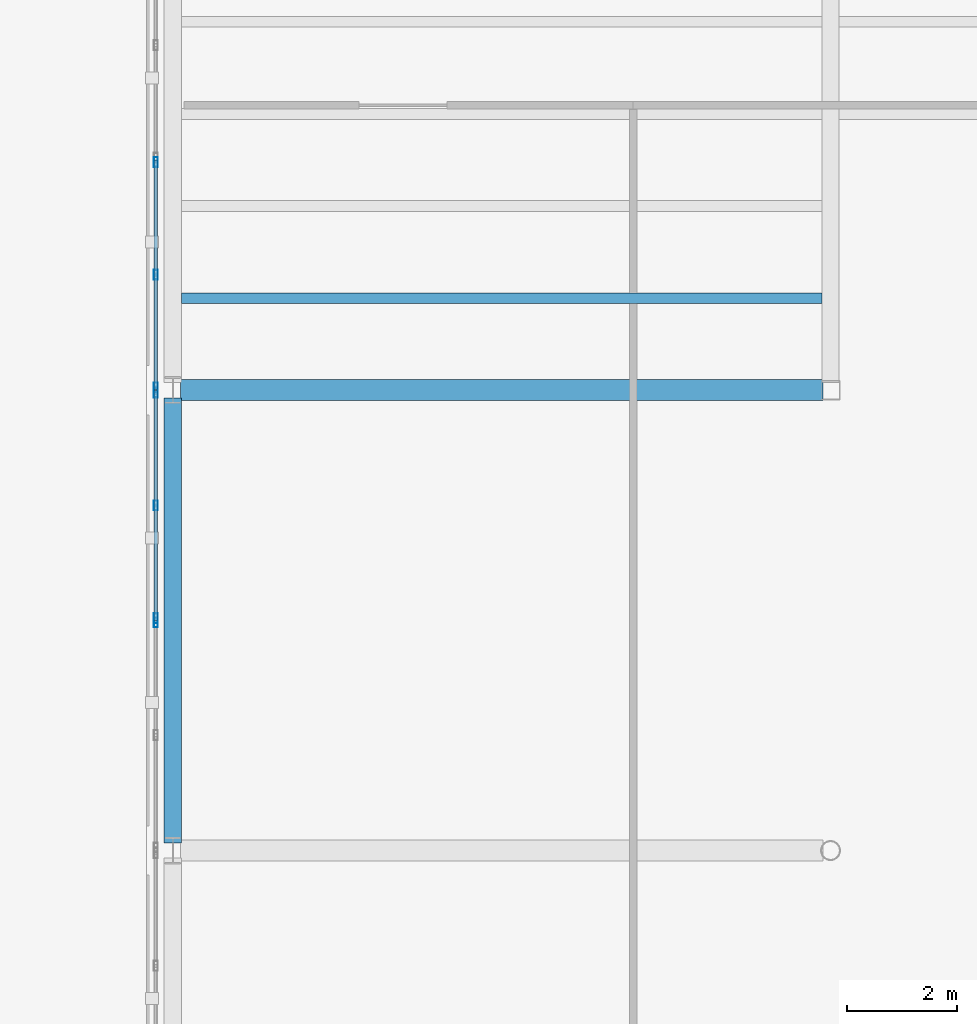
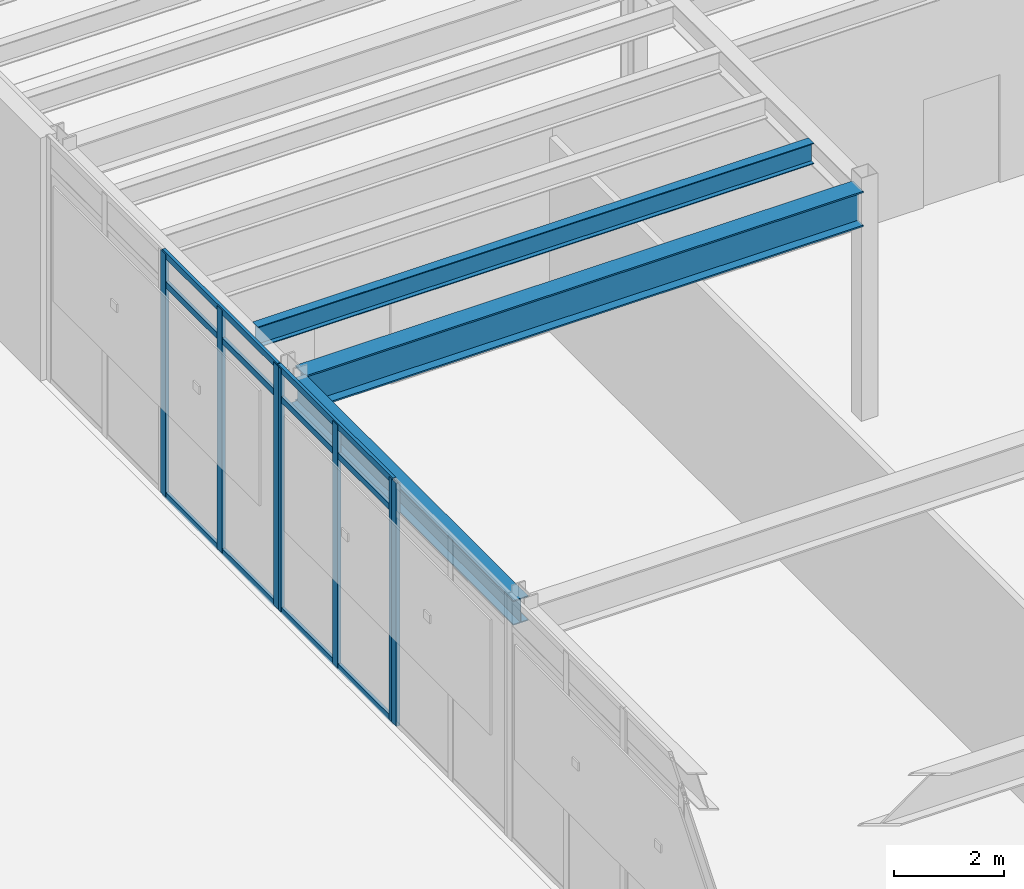
# One storey, part 30 of 94: 13 members, 3 beams, 3 elements without a shape of their own.
"""IFC4 building model written with IfcOpenShell, lengths in metres."""

from ifc_helpers import new_model, si_unit, direction, frame, origin, origin_2d, place, context, subcontext, project, spatial, hollow_rectangle, i_section, extrude, material, layer, layer_set, material_profile, profile_set, type_object, element, aggregate, save


model = new_model("IFC4")

# Units and contexts
model_context = context("Model", 3, precision=1e-05, world=origin(), true_north=direction((0.0, 1.0)))
body_context = subcontext(model_context, "Body", "Model", "MODEL_VIEW")
ifc_project = project(units=[si_unit("LENGTHUNIT", "METRE"), si_unit("AREAUNIT", "SQUARE_METRE"), si_unit("VOLUMEUNIT", "CUBIC_METRE"), si_unit("PLANEANGLEUNIT", "RADIAN"), si_unit("MASSUNIT", "GRAM", prefix="KILO")], contexts=[model_context])

# Site, building, storey
site_placement = place(None, origin())
site = spatial("IfcSite", under=ifc_project, at=site_placement, CompositionType="ELEMENT")
building_placement = place(site_placement, origin())
building = spatial("IfcBuilding", under=site, at=building_placement, Name="Sollismere Congress Hotel", CompositionType="ELEMENT")
storey_placement = place(building_placement, origin())
storey = spatial("IfcBuildingStorey", under=building, at=storey_placement, Name="L00", CompositionType="ELEMENT", Elevation=0.0)

# Beams
ifc_material_1 = material(Name="Steel ASTM A992 Grade 50", Category="steel")
ifc_material_profile_1 = material_profile(ifc_material_1, i_section(OverallWidth=0.31494140625, OverallDepth=0.551025390625, WebThickness=0.01513671875, FlangeThickness=0.0244140625, at=origin_2d()), Name="W21X122")
ifc_profile_set_1 = profile_set([ifc_material_profile_1], Name="Steel ASTM A992 Grade 50")
beam_type_1 = type_object("IfcBeamType", Name="BM-G21H", PredefinedType="BEAM", material=ifc_profile_set_1)
beam_1_placement = place(storey_placement, frame((112.0, 41.739990234375, 4.839599609375), z_axis=(0.0, 1.0, 0.0), x_axis=(-1.0, 0.0, 0.0)))
element("IfcBeam", 1, at=beam_1_placement, inside=storey, type_object=beam_type_1, Name="Beam BM-L00-1280", PredefinedType="BEAM", context=body_context, shape_type="SweptSolid", body=[
    extrude(i_section(OverallWidth=0.31494140625, OverallDepth=0.551025390625, WebThickness=0.01513671875, FlangeThickness=0.0244140625, at=origin_2d()), origin(), (0.0, 0.0, 1.0), 8.1201171875),
])
ifc_material_profile_2 = material_profile(ifc_material_1, i_section(OverallWidth=0.384033203125, OverallDepth=0.787109375, WebThickness=0.019775390625, FlangeThickness=0.033447265625, at=origin_2d()), Name="W30X211")
ifc_profile_set_2 = profile_set([ifc_material_profile_2], Name="Steel ASTM A992 Grade 50")
beam_type_2 = type_object("IfcBeamType", Name="BM-G30", PredefinedType="BEAM", material=ifc_profile_set_2)
beam_2_placement = place(storey_placement, frame((112.139892578125, 50.0, 4.721435546875), z_axis=(1.0, 0.0, 0.0), x_axis=(0.0, 1.0, 0.0)))
element("IfcBeam", 2, at=beam_2_placement, inside=storey, type_object=beam_type_2, Name="Beam BM-L00-1180", PredefinedType="BEAM", context=body_context, shape_type="SweptSolid", body=[
    extrude(i_section(OverallWidth=0.384033203125, OverallDepth=0.787109375, WebThickness=0.019775390625, FlangeThickness=0.033447265625, at=origin_2d()), origin(), (0.0, 0.0, 1.0), 11.72021484375),
])
ifc_material_profile_3 = material_profile(ifc_material_1, i_section(OverallWidth=0.193115234375, OverallDepth=0.467041015625, WebThickness=0.011474609375, FlangeThickness=0.01904296875, at=origin_2d()), Name="W18X65")
ifc_profile_set_3 = profile_set([ifc_material_profile_3], Name="Steel ASTM A992 Grade 50")
beam_type_3 = type_object("IfcBeamType", Name="BM-J18", PredefinedType="JOIST", material=ifc_profile_set_3)
beam_3_placement = place(storey_placement, frame((112.157470703125, 51.679931640625, 4.881591796875), z_axis=(1.0, 0.0, 0.0), x_axis=(0.0, 1.0, 0.0)))
element("IfcBeam", 3, at=beam_3_placement, inside=storey, type_object=beam_type_3, Name="Beam BM-L00-1442", PredefinedType="JOIST", context=body_context, shape_type="SweptSolid", body=[
    extrude(i_section(OverallWidth=0.193115234375, OverallDepth=0.467041015625, WebThickness=0.011474609375, FlangeThickness=0.01904296875, at=origin_2d()), origin(), (0.0, 0.0, 1.0), 11.68505859375),
])

# Curtain wall, member
ifc_material_2 = material(Name="Anodized Bronze Curtain Wall & Low-E Triple Glazing", Category="glass")
ifc_layer = layer(ifc_material_2, 0.199951171875, Name="Anodized Bronze Curtain Wall & Low-E Triple Glazing")
ifc_layer_set = layer_set([ifc_layer], Name="Anodized Bronze Curtain Wall & Low-E Triple Glazing")
curtain_wall_type = type_object("IfcCurtainWallType", Name="CW-GLZ36", PredefinedType="USERDEFINED", material=ifc_layer_set)
curtain_wall_1_placement = place(storey_placement, origin())
curtain_wall_1 = element("IfcCurtainWall", 4, at=curtain_wall_1_placement, inside=storey, type_object=curtain_wall_type, Name="Unitised curtain wall CW-L00-137", ObjectType="UNITISED CURTAIN WALL", PredefinedType="USERDEFINED")
ifc_material_3 = material(Name="Anodized Aluminum 6063-T6", Category="aluminium")
ifc_material_profile_4 = material_profile(ifc_material_3, hollow_rectangle(XDim=0.074951171875, YDim=0.179931640625, WallThickness=0.0048828125, at=origin_2d()), Name="ALU180X75X5")
ifc_profile_set_4 = profile_set([ifc_material_profile_4], Name="Anodized Aluminum 6063-T6")
member_type_1 = type_object("IfcMemberType", Name="ML-CW180", PredefinedType="MULLION", material=ifc_profile_set_4)
member_1_placement = place(storey_placement, frame((111.68994140625, 45.761962890625, 0.0), z_axis=(0.0, 0.0, 1.0), x_axis=(-1.0, 0.0, 0.0)))
member_1 = element("IfcMember", 5, at=member_1_placement, type_object=member_type_1, Name="CWL-CW-L00-137-ML03", PredefinedType="MULLION", context=body_context, shape_type="SweptSolid", body=[
    extrude(hollow_rectangle(XDim=0.074951171875, YDim=0.179931640625, WallThickness=0.0048828125, at=origin_2d()), origin(), (0.0, 0.0, 1.0), 5.39990234375),
])
aggregate(curtain_wall_1, [member_1])

# Curtain wall, members
curtain_wall_2_placement = place(storey_placement, origin())
curtain_wall_2 = element("IfcCurtainWall", 6, at=curtain_wall_2_placement, inside=storey, type_object=curtain_wall_type, Name="Unitised curtain wall CW-L00-138", ObjectType="UNITISED CURTAIN WALL", PredefinedType="USERDEFINED")
member_2_placement = place(storey_placement, frame((111.68994140625, 45.837890625, 0.0), z_axis=(0.0, 0.0, 1.0), x_axis=(-1.0, 0.0, 0.0)))
member_2 = element("IfcMember", 7, at=member_2_placement, type_object=member_type_1, Name="CWL-CW-L00-138-ML01", PredefinedType="MULLION", context=body_context, shape_type="SweptSolid", body=[
    extrude(hollow_rectangle(XDim=0.074951171875, YDim=0.179931640625, WallThickness=0.0048828125, at=origin_2d()), origin(), (0.0, 0.0, 1.0), 5.39990234375),
])
member_3_placement = place(storey_placement, frame((111.68994140625, 47.89501953125, 0.0), z_axis=(0.0, 0.0, 1.0), x_axis=(-1.0, 0.0, 0.0)))
member_3 = element("IfcMember", 8, at=member_3_placement, type_object=member_type_1, Name="CWL-CW-L00-138-ML02", PredefinedType="MULLION", context=body_context, shape_type="SweptSolid", body=[
    extrude(hollow_rectangle(XDim=0.074951171875, YDim=0.179931640625, WallThickness=0.0048828125, at=origin_2d()), origin(), (0.0, 0.0, 1.0), 5.39990234375),
])
member_4_placement = place(storey_placement, frame((111.68994140625, 49.951904296875, 0.0), z_axis=(0.0, 0.0, 1.0), x_axis=(-1.0, 0.0, 0.0)))
member_4 = element("IfcMember", 9, at=member_4_placement, type_object=member_type_1, Name="CWL-CW-L00-138-ML03", PredefinedType="MULLION", context=body_context, shape_type="SweptSolid", body=[
    extrude(hollow_rectangle(XDim=0.074951171875, YDim=0.179931640625, WallThickness=0.0048828125, at=origin_2d()), origin(), (0.0, 0.0, 1.0), 5.39990234375),
])

curtain_wall_3_placement = place(storey_placement, origin())
curtain_wall_3 = element("IfcCurtainWall", 10, at=curtain_wall_3_placement, inside=storey, type_object=curtain_wall_type, Name="Unitised curtain wall CW-L00-139", ObjectType="UNITISED CURTAIN WALL", PredefinedType="USERDEFINED")
member_5_placement = place(storey_placement, frame((111.68994140625, 50.048095703125, 0.0), z_axis=(0.0, 0.0, 1.0), x_axis=(-1.0, 0.0, 0.0)))
member_5 = element("IfcMember", 11, at=member_5_placement, type_object=member_type_1, Name="CWL-CW-L00-139-ML01", PredefinedType="MULLION", context=body_context, shape_type="SweptSolid", body=[
    extrude(hollow_rectangle(XDim=0.074951171875, YDim=0.179931640625, WallThickness=0.0048828125, at=origin_2d()), origin(), (0.0, 0.0, 1.0), 5.39990234375),
])
member_6_placement = place(storey_placement, frame((111.68994140625, 52.10498046875, 0.0), z_axis=(0.0, 0.0, 1.0), x_axis=(-1.0, 0.0, 0.0)))
member_6 = element("IfcMember", 12, at=member_6_placement, type_object=member_type_1, Name="CWL-CW-L00-139-ML02", PredefinedType="MULLION", context=body_context, shape_type="SweptSolid", body=[
    extrude(hollow_rectangle(XDim=0.074951171875, YDim=0.179931640625, WallThickness=0.0048828125, at=origin_2d()), origin(), (0.0, 0.0, 1.0), 5.39990234375),
])
member_7_placement = place(storey_placement, frame((111.68994140625, 54.162109375, 0.0), z_axis=(0.0, 0.0, 1.0), x_axis=(-1.0, 0.0, 0.0)))
member_7 = element("IfcMember", 13, at=member_7_placement, type_object=member_type_1, Name="CWL-CW-L00-139-ML03", PredefinedType="MULLION", context=body_context, shape_type="SweptSolid", body=[
    extrude(hollow_rectangle(XDim=0.074951171875, YDim=0.179931640625, WallThickness=0.0048828125, at=origin_2d()), origin(), (0.0, 0.0, 1.0), 5.39990234375),
])

# Member
ifc_material_profile_5 = material_profile(ifc_material_3, hollow_rectangle(XDim=0.06494140625, YDim=0.139892578125, WallThickness=0.00390625, at=origin_2d()), Name="ALU140X65X4")
ifc_profile_set_5 = profile_set([ifc_material_profile_5], Name="Anodized Aluminum 6063-T6")
member_type_2 = type_object("IfcMemberType", Name="TR-CW150", PredefinedType="MEMBER", material=ifc_profile_set_5)
member_8_placement = place(storey_placement, frame((111.68994140625, 45.800048828125, 0.032470703125), z_axis=(0.0, 1.0, 0.0), x_axis=(-1.0, 0.0, 0.0)))
member_8 = element("IfcMember", 14, at=member_8_placement, type_object=member_type_2, Name="CWL-CW-L00-138-TR1", PredefinedType="MEMBER", context=body_context, shape_type="SweptSolid", body=[
    extrude(hollow_rectangle(XDim=0.06494140625, YDim=0.139892578125, WallThickness=0.00390625, at=origin_2d()), origin(), (0.0, 0.0, 1.0), 4.18994140625),
])

member_9_placement = place(storey_placement, frame((111.68994140625, 45.800048828125, 4.719970703125), z_axis=(0.0, 1.0, 0.0), x_axis=(-1.0, 0.0, 0.0)))
member_9 = element("IfcMember", 15, at=member_9_placement, type_object=member_type_2, Name="CWL-CW-L00-138-TR2", PredefinedType="MEMBER", context=body_context, shape_type="SweptSolid", body=[
    extrude(hollow_rectangle(XDim=0.06494140625, YDim=0.139892578125, WallThickness=0.00390625, at=origin_2d()), origin(), (0.0, 0.0, 1.0), 4.18994140625),
])

member_10_placement = place(storey_placement, frame((111.68994140625, 45.800048828125, 5.367431640625), z_axis=(0.0, 1.0, 0.0), x_axis=(-1.0, 0.0, 0.0)))
member_10 = element("IfcMember", 16, at=member_10_placement, type_object=member_type_2, Name="CWL-CW-L00-138-TR3", PredefinedType="MEMBER", context=body_context, shape_type="SweptSolid", body=[
    extrude(hollow_rectangle(XDim=0.06494140625, YDim=0.139892578125, WallThickness=0.00390625, at=origin_2d()), origin(), (0.0, 0.0, 1.0), 4.18994140625),
])

aggregate(curtain_wall_2, [member_2, member_3, member_4, member_8, member_9, member_10])

member_11_placement = place(storey_placement, frame((111.68994140625, 50.010009765625, 0.032470703125), z_axis=(0.0, 1.0, 0.0), x_axis=(-1.0, 0.0, 0.0)))
member_11 = element("IfcMember", 17, at=member_11_placement, type_object=member_type_2, Name="CWL-CW-L00-139-TR1", PredefinedType="MEMBER", context=body_context, shape_type="SweptSolid", body=[
    extrude(hollow_rectangle(XDim=0.06494140625, YDim=0.139892578125, WallThickness=0.00390625, at=origin_2d()), origin(), (0.0, 0.0, 1.0), 4.18994140625),
])

member_12_placement = place(storey_placement, frame((111.68994140625, 50.010009765625, 4.719970703125), z_axis=(0.0, 1.0, 0.0), x_axis=(-1.0, 0.0, 0.0)))
member_12 = element("IfcMember", 18, at=member_12_placement, type_object=member_type_2, Name="CWL-CW-L00-139-TR2", PredefinedType="MEMBER", context=body_context, shape_type="SweptSolid", body=[
    extrude(hollow_rectangle(XDim=0.06494140625, YDim=0.139892578125, WallThickness=0.00390625, at=origin_2d()), origin(), (0.0, 0.0, 1.0), 4.18994140625),
])

member_13_placement = place(storey_placement, frame((111.68994140625, 50.010009765625, 5.367431640625), z_axis=(0.0, 1.0, 0.0), x_axis=(-1.0, 0.0, 0.0)))
member_13 = element("IfcMember", 19, at=member_13_placement, type_object=member_type_2, Name="CWL-CW-L00-139-TR3", PredefinedType="MEMBER", context=body_context, shape_type="SweptSolid", body=[
    extrude(hollow_rectangle(XDim=0.06494140625, YDim=0.139892578125, WallThickness=0.00390625, at=origin_2d()), origin(), (0.0, 0.0, 1.0), 4.18994140625),
])

aggregate(curtain_wall_3, [member_5, member_6, member_7, member_11, member_12, member_13])

save(model, "model.ifc")
